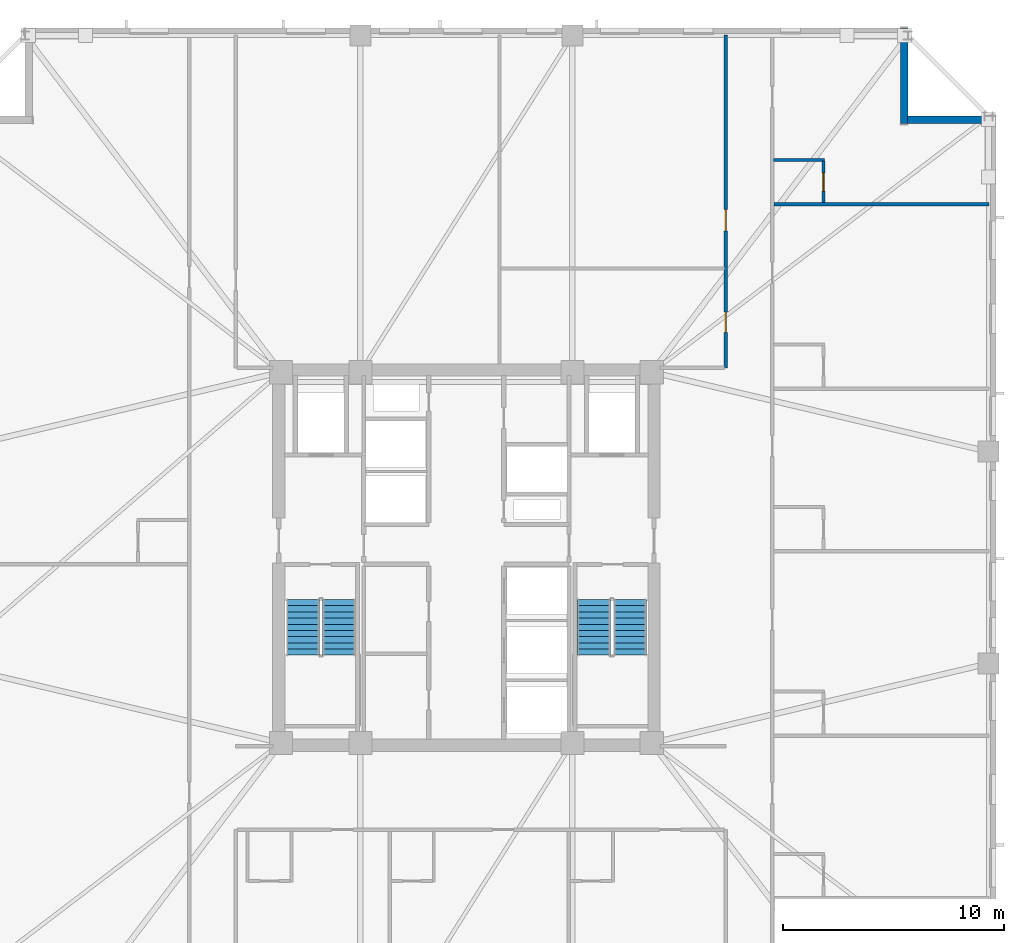
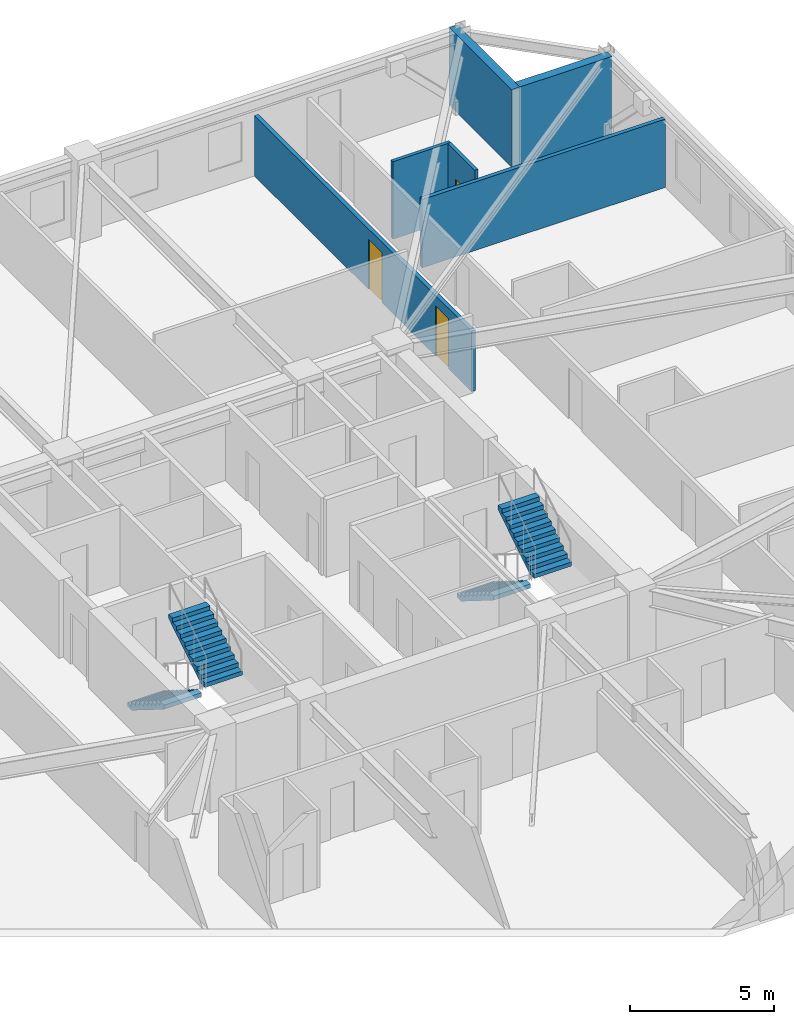
# One storey, part 6 of 11: 6 walls, 4 stair flights, 3 doors, 3 openings, 2 elements without a shape of their own.
"""IFC4 building model written with IfcOpenShell, lengths in metres."""

from ifc_helpers import new_model, si_unit, direction, frame, frame_2d, origin, place, context, subcontext, project, spatial, polyline, rectangle, outline, extrude, material, layer, layer_set, type_object, element, fill, aggregate, save


model = new_model("IFC4")

# Units and contexts
model_context = context("Model", 3, precision=1e-05, world=origin(), true_north=direction((0.0, 1.0)))
body_context = subcontext(model_context, "Body", "Model", "MODEL_VIEW")
ifc_project = project(units=[si_unit("LENGTHUNIT", "METRE"), si_unit("AREAUNIT", "SQUARE_METRE"), si_unit("VOLUMEUNIT", "CUBIC_METRE"), si_unit("PLANEANGLEUNIT", "RADIAN"), si_unit("MASSUNIT", "GRAM", prefix="KILO")], contexts=[model_context])

# Site, building, storey
site_placement = place(None, origin())
site = spatial("IfcSite", under=ifc_project, at=site_placement, CompositionType="ELEMENT")
building_placement = place(site_placement, origin())
building = spatial("IfcBuilding", under=site, at=building_placement, Name="Cairnveth Concourse Tower", CompositionType="ELEMENT")
storey_placement = place(building_placement, frame((0.0, 0.0, 130.5)))
storey = spatial("IfcBuildingStorey", under=building, at=storey_placement, Name="L35", CompositionType="ELEMENT", Elevation=130.5)

# Wall, openings, doors
ifc_material_1 = material(Name="Gypsum Plasterboard Partition", Category="gypsum")
ifc_layer_1 = layer(ifc_material_1, 0.159912109375)
ifc_layer_set_1 = layer_set([ifc_layer_1], Name="Gypsum Plasterboard Partition")
wall_type_1 = type_object("IfcWallType", Name="ACOUSTIC PARTY WALL 180", PredefinedType="PARTITIONING", material=ifc_layer_set_1)
wall_1_placement = place(storey_placement, frame((63.75, 47.60009765625, 0.0), z_axis=(0.0, 0.0, 1.0), x_axis=(0.0, 1.0, 0.0)))
wall_1 = element("IfcWall", 1, at=wall_1_placement, inside=storey, type_object=wall_type_1, Name="Interior Wall IW-L35-043", PredefinedType="PARTITIONING", context=body_context, shape_type="SweptSolid", body=[
    extrude(rectangle(XDim=15.074951171875, YDim=0.159912109375, at=frame_2d((7.53759765625, 0.0))), origin(), (0.0, 0.0, 1.0), 2.554931640625),
])
opening_1_placement = place(wall_1_placement, frame((1.60009765625, 0.0, 0.0)))
opening_1 = element("IfcOpeningElement", 2, at=opening_1_placement, cuts=wall_1, Name="Opening ID15", PredefinedType="OPENING", context=body_context, shape_type="SweptSolid", body=[
    extrude(rectangle(XDim=0.919921875, YDim=2.1201171875, at=frame_2d((0.4599609375, 1.06005859375))), frame((0.0, 0.08984375, 0.0), z_axis=(0.0, -1.0, 0.0), x_axis=(1.0, 0.0, 0.0)), (0.0, 0.0, 1.0), 0.179931640625),
])
opening_2_placement = place(wall_1_placement, frame((6.199951171875, 0.0, 0.0)))
opening_2 = element("IfcOpeningElement", 3, at=opening_2_placement, cuts=wall_1, Name="Opening ID11", PredefinedType="OPENING", context=body_context, shape_type="SweptSolid", body=[
    extrude(rectangle(XDim=0.9599609375, YDim=2.1201171875, at=frame_2d((0.47998046875, 1.06005859375))), frame((0.0, 0.08984375, 0.0), z_axis=(0.0, -1.0, 0.0), x_axis=(1.0, 0.0, 0.0)), (0.0, 0.0, 1.0), 0.179931640625),
])
ifc_material_2 = material(Name="Solid Core Hardwood Timber Leaf", Category="wood")
door_type_1 = type_object("IfcDoorType", Name="INTERIOR SINGLE DOOR 920X2100", OperationType="NOTDEFINED", PredefinedType="DOOR", material=ifc_material_2)
door_1_placement = place(opening_1_placement, origin())
door_1 = element("IfcDoor", 4, at=door_1_placement, inside=storey, type_object=door_type_1, Name="Interior Door DR-L35-016", OperationType="SINGLE_SWING_RIGHT", OverallHeight=2.1201171875, OverallWidth=0.919921875, PredefinedType="DOOR", context=body_context, shape_type="SweptSolid", body=[
    extrude(rectangle(XDim=0.919921875, YDim=2.1201171875, at=frame_2d((0.4599609375, 1.06005859375))), frame((0.0, 0.02490234375, 0.0), z_axis=(0.0, -1.0, 0.0), x_axis=(1.0, 0.0, 0.0)), (0.0, 0.0, 1.0), 0.050048828125),
])
fill(opening_1, door_1)
door_type_2 = type_object("IfcDoorType", Name="INTERIOR SINGLE DOOR 960X2150", OperationType="NOTDEFINED", PredefinedType="DOOR", material=ifc_material_2)
door_2_placement = place(opening_2_placement, origin())
door_2 = element("IfcDoor", 5, at=door_2_placement, inside=storey, type_object=door_type_2, Name="Interior Door DR-L35-017", OperationType="SINGLE_SWING_LEFT", OverallHeight=2.1201171875, OverallWidth=0.9599609375, PredefinedType="DOOR", context=body_context, shape_type="SweptSolid", body=[
    extrude(rectangle(XDim=0.9599609375, YDim=2.1201171875, at=frame_2d((0.47998046875, 1.06005859375))), frame((0.0, 0.02490234375, 0.0), z_axis=(0.0, -1.0, 0.0), x_axis=(1.0, 0.0, 0.0)), (0.0, 0.0, 1.0), 0.050048828125),
])
fill(opening_2, door_2)

# Walls
wall_2_placement = place(storey_placement, frame((65.929931640625, 55.015625, 0.0), z_axis=(0.0, 0.0, 1.0), x_axis=(1.0, 0.0, 0.0)))
element("IfcWall", 6, at=wall_2_placement, inside=storey, type_object=wall_type_1, Name="Interior Wall IW-L35-079", PredefinedType="PARTITIONING", context=body_context, shape_type="SweptSolid", body=[
    extrude(rectangle(XDim=9.7451171875, YDim=0.159912109375, at=frame_2d((4.87255859375, 0.0))), origin(), (0.0, 0.0, 1.0), 2.89599609375),
])
ifc_layer_2 = layer(ifc_material_1, 0.1298828125)
ifc_layer_set_2 = layer_set([ifc_layer_2], Name="Gypsum Plasterboard Partition")
wall_type_2 = type_object("IfcWallType", Name="WET AREA PARTITION 140", PredefinedType="PLUMBINGWALL", material=ifc_layer_set_2)
wall_3_placement = place(storey_placement, frame((65.9150390625, 57.015625, 0.0), z_axis=(0.0, 0.0, 1.0), x_axis=(1.0, 0.0, 0.0)))
element("IfcWall", 7, at=wall_3_placement, inside=storey, type_object=wall_type_2, Name="Interior Wall IW-L35-080", PredefinedType="PLUMBINGWALL", context=body_context, shape_type="SweptSolid", body=[
    extrude(rectangle(XDim=2.31494140625, YDim=0.1298828125, at=frame_2d((1.157470703125, 0.0))), origin(), (0.0, 0.0, 1.0), 3.280029296875),
])

# Wall, opening, door
wall_4_placement = place(storey_placement, frame((68.179931640625, 55.080810546875, 0.0), z_axis=(0.0, 0.0, 1.0), x_axis=(0.0, 1.0, 0.0)))
wall_4 = element("IfcWall", 8, at=wall_4_placement, inside=storey, type_object=wall_type_2, Name="Interior Wall IW-L35-081", PredefinedType="PLUMBINGWALL", context=body_context, shape_type="SweptSolid", body=[
    extrude(rectangle(XDim=1.885009765625, YDim=0.1298828125, at=frame_2d((0.9423828125, 0.0))), origin(), (0.0, 0.0, 1.0), 3.280029296875),
])
opening_3_placement = place(wall_4_placement, frame((0.52490234375, 0.0, 0.0)))
opening_3 = element("IfcOpeningElement", 9, at=opening_3_placement, cuts=wall_4, Name="Opening ID22", PredefinedType="OPENING", context=body_context, shape_type="SweptSolid", body=[
    extrude(rectangle(XDim=0.820068359375, YDim=2.10009765625, at=frame_2d((0.41015625, 1.050048828125))), frame((0.0, 0.074951171875, 0.0), z_axis=(0.0, -1.0, 0.0), x_axis=(1.0, 0.0, 0.0)), (0.0, 0.0, 1.0), 0.14990234375),
])
door_type_3 = type_object("IfcDoorType", Name="INTERIOR WC DOOR 820X2100", OperationType="NOTDEFINED", PredefinedType="DOOR", material=ifc_material_2)
door_3_placement = place(opening_3_placement, origin())
door_3 = element("IfcDoor", 10, at=door_3_placement, inside=storey, type_object=door_type_3, Name="En-Suite Door L35-E6", OperationType="SINGLE_SWING_RIGHT", OverallHeight=2.10009765625, OverallWidth=0.820068359375, PredefinedType="DOOR", context=body_context, shape_type="SweptSolid", body=[
    extrude(rectangle(XDim=0.820068359375, YDim=2.10009765625, at=frame_2d((0.41015625, 1.050048828125))), frame((0.0, 0.02490234375, 0.0), z_axis=(0.0, -1.0, 0.0), x_axis=(1.0, 0.0, 0.0)), (0.0, 0.0, 1.0), 0.050048828125),
])
fill(opening_3, door_3)

# Walls
ifc_material_3 = material(Name="Hawthorn Red-Ochre Fired Clay Brick Masonry", Category="masonry")
ifc_layer_3 = layer(ifc_material_3, 0.340087890625)
ifc_layer_set_3 = layer_set([ifc_layer_3], Name="Hawthorn Red-Ochre Fired Clay Brick Masonry")
wall_type_3 = type_object("IfcWallType", Name="ZONE 2 BRICK PIER SPANDREL WALL 340", PredefinedType="SOLIDWALL", material=ifc_layer_set_3)
wall_5_placement = place(storey_placement, frame((71.830078125, 63.0, 0.0), z_axis=(0.0, 0.0, 1.0), x_axis=(0.0, -1.0, 0.0)))
element("IfcWall", 11, at=wall_5_placement, inside=storey, type_object=wall_type_3, Name="Exterior Wall EW-L35-S04", PredefinedType="SOLIDWALL", context=body_context, shape_type="SweptSolid", body=[
    extrude(rectangle(XDim=4.340087890625, YDim=0.340087890625, at=frame_2d((2.169921875, 0.0))), origin(), (0.0, 0.0, 1.0), 3.280029296875),
])
wall_6_placement = place(storey_placement, frame((71.97802734375, 58.830078125, 0.0), z_axis=(0.0, 0.0, 1.0), x_axis=(1.0, 0.0, 0.0)))
element("IfcWall", 12, at=wall_6_placement, inside=storey, type_object=wall_type_3, Name="Exterior Wall EW-L35-S05", PredefinedType="SOLIDWALL", context=body_context, shape_type="SweptSolid", body=[
    extrude(rectangle(XDim=3.703857421875, YDim=0.340087890625, at=frame_2d((1.85205078125, 0.0))), origin(), (0.0, 0.0, 1.0), 3.280029296875),
])

# Stair, stair flights
ifc_material_4 = material(Name="Precast concrete N50 (50 MPa)", Category="concrete")
stair_type = type_object("IfcStairType", Name="CORE DOG-LEG FIRE STAIR 1500", PredefinedType="HALF_TURN_STAIR", material=ifc_material_4)
stair_1_placement = place(storey_placement, origin())
stair_1 = element("IfcStair", 13, at=stair_1_placement, inside=storey, type_object=stair_type, Name="L35 Fire-Isolated Stair ST-1", PredefinedType="HALF_TURN_STAIR")
stair_flight_type = type_object("IfcStairFlightType", Name="PRECAST CONCRETE STAIR FLIGHT 1500", PredefinedType="STRAIGHT", material=ifc_material_4)
stair_flight_1_placement = place(storey_placement, frame((44.590087890625, 37.10009765625, 0.0), z_axis=(0.0, 0.0, 1.0), x_axis=(0.0, -1.0, 0.0)))
stair_flight_1 = element("IfcStairFlight", 14, at=stair_flight_1_placement, type_object=stair_flight_type, Name="ST-1 flight 1", NumberOfRisers=10, NumberOfTreads=9, PredefinedType="STRAIGHT", RiserHeight=0.175, TreadLength=0.28, context=body_context, shape_type="SweptSolid", body=[
    extrude(outline(polyline([(0.0, 0.0), (0.0, 0.175048828125), (0.280029296875, 0.175048828125), (0.280029296875, 0.35009765625), (0.56005859375, 0.35009765625), (0.56005859375, 0.52490234375), (0.840087890625, 0.52490234375), (0.840087890625, 0.699951171875), (1.1201171875, 0.699951171875), (1.1201171875, 0.875), (1.39990234375, 0.875), (1.39990234375, 1.050048828125), (1.679931640625, 1.050048828125), (1.679931640625, 1.22509765625), (1.9599609375, 1.22509765625), (1.9599609375, 1.39990234375), (2.239990234375, 1.39990234375), (2.239990234375, 1.574951171875), (2.52001953125, 1.574951171875), (2.52001953125, 1.75), (2.52001953125, 1.398193359375), (0.28271484375, 0.0), (0.0, 0.0)])), frame((0.0, 0.75, 0.0), z_axis=(0.0, -1.0, 0.0), x_axis=(1.0, 0.0, 0.0)), (0.0, 0.0, 1.0), 1.5),
])
stair_flight_2_placement = place(storey_placement, frame((46.22998046875, 34.580078125, 1.75), z_axis=(0.0, 0.0, 1.0), x_axis=(0.0, 1.0, 0.0)))
stair_flight_2 = element("IfcStairFlight", 15, at=stair_flight_2_placement, type_object=stair_flight_type, Name="ST-1 flight 2", NumberOfRisers=10, NumberOfTreads=9, PredefinedType="STRAIGHT", RiserHeight=0.175, TreadLength=0.28, context=body_context, shape_type="SweptSolid", body=[
    extrude(outline(polyline([(0.0, 0.0), (0.0, 0.175048828125), (0.280029296875, 0.175048828125), (0.280029296875, 0.35009765625), (0.56005859375, 0.35009765625), (0.56005859375, 0.52490234375), (0.840087890625, 0.52490234375), (0.840087890625, 0.699951171875), (1.1201171875, 0.699951171875), (1.1201171875, 0.875), (1.39990234375, 0.875), (1.39990234375, 1.050048828125), (1.679931640625, 1.050048828125), (1.679931640625, 1.22509765625), (1.9599609375, 1.22509765625), (1.9599609375, 1.39990234375), (2.239990234375, 1.39990234375), (2.239990234375, 1.574951171875), (2.52001953125, 1.574951171875), (2.52001953125, 1.75), (2.52001953125, 1.398193359375), (0.28271484375, 0.0), (0.0, 0.0)])), frame((0.0, 0.75, 0.0), z_axis=(0.0, -1.0, 0.0), x_axis=(1.0, 0.0, 0.0)), (0.0, 0.0, 1.0), 1.5),
])
aggregate(stair_1, [stair_flight_1, stair_flight_2])

stair_2_placement = place(storey_placement, origin())
stair_2 = element("IfcStair", 16, at=stair_2_placement, inside=storey, type_object=stair_type, Name="L35 Fire-Isolated Stair ST-2", PredefinedType="HALF_TURN_STAIR")
stair_flight_3_placement = place(storey_placement, frame((57.77001953125, 37.10009765625, 0.0), z_axis=(0.0, 0.0, 1.0), x_axis=(0.0, -1.0, 0.0)))
stair_flight_3 = element("IfcStairFlight", 17, at=stair_flight_3_placement, type_object=stair_flight_type, Name="ST-2 flight 1", NumberOfRisers=10, NumberOfTreads=9, PredefinedType="STRAIGHT", RiserHeight=0.175, TreadLength=0.28, context=body_context, shape_type="SweptSolid", body=[
    extrude(outline(polyline([(0.0, 0.0), (0.0, 0.175048828125), (0.280029296875, 0.175048828125), (0.280029296875, 0.35009765625), (0.56005859375, 0.35009765625), (0.56005859375, 0.52490234375), (0.840087890625, 0.52490234375), (0.840087890625, 0.699951171875), (1.1201171875, 0.699951171875), (1.1201171875, 0.875), (1.39990234375, 0.875), (1.39990234375, 1.050048828125), (1.679931640625, 1.050048828125), (1.679931640625, 1.22509765625), (1.9599609375, 1.22509765625), (1.9599609375, 1.39990234375), (2.239990234375, 1.39990234375), (2.239990234375, 1.574951171875), (2.52001953125, 1.574951171875), (2.52001953125, 1.75), (2.52001953125, 1.398193359375), (0.28271484375, 0.0), (0.0, 0.0)])), frame((0.0, 0.75, 0.0), z_axis=(0.0, -1.0, 0.0), x_axis=(1.0, 0.0, 0.0)), (0.0, 0.0, 1.0), 1.5),
])
stair_flight_4_placement = place(storey_placement, frame((59.409912109375, 34.580078125, 1.75), z_axis=(0.0, 0.0, 1.0), x_axis=(0.0, 1.0, 0.0)))
stair_flight_4 = element("IfcStairFlight", 18, at=stair_flight_4_placement, type_object=stair_flight_type, Name="ST-2 flight 2", NumberOfRisers=10, NumberOfTreads=9, PredefinedType="STRAIGHT", RiserHeight=0.175, TreadLength=0.28, context=body_context, shape_type="SweptSolid", body=[
    extrude(outline(polyline([(0.0, 0.0), (0.0, 0.175048828125), (0.280029296875, 0.175048828125), (0.280029296875, 0.35009765625), (0.56005859375, 0.35009765625), (0.56005859375, 0.52490234375), (0.840087890625, 0.52490234375), (0.840087890625, 0.699951171875), (1.1201171875, 0.699951171875), (1.1201171875, 0.875), (1.39990234375, 0.875), (1.39990234375, 1.050048828125), (1.679931640625, 1.050048828125), (1.679931640625, 1.22509765625), (1.9599609375, 1.22509765625), (1.9599609375, 1.39990234375), (2.239990234375, 1.39990234375), (2.239990234375, 1.574951171875), (2.52001953125, 1.574951171875), (2.52001953125, 1.75), (2.52001953125, 1.398193359375), (0.28271484375, 0.0), (0.0, 0.0)])), frame((0.0, 0.75, 0.0), z_axis=(0.0, -1.0, 0.0), x_axis=(1.0, 0.0, 0.0)), (0.0, 0.0, 1.0), 1.5),
])
aggregate(stair_2, [stair_flight_3, stair_flight_4])

save(model, "model.ifc")
